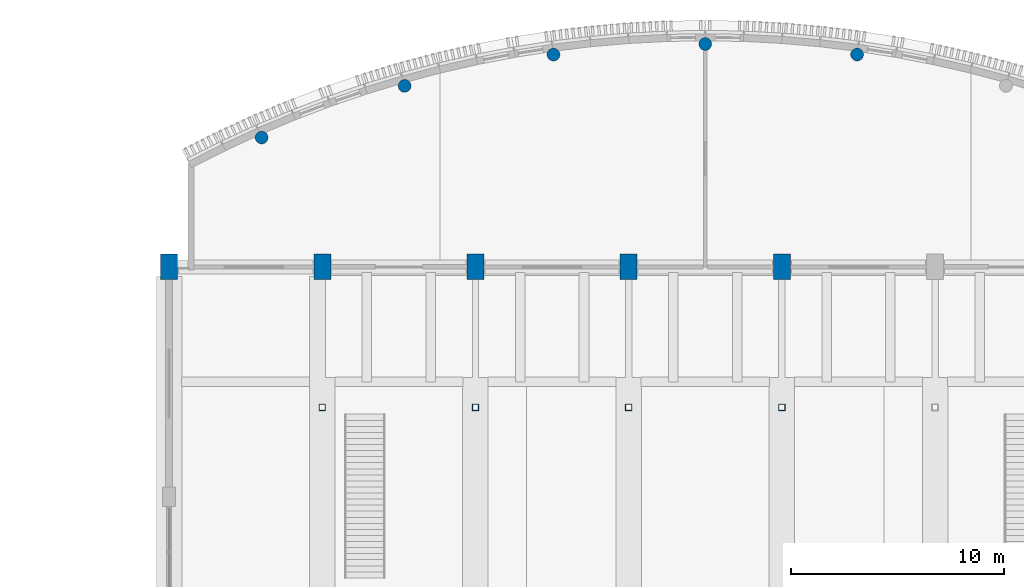
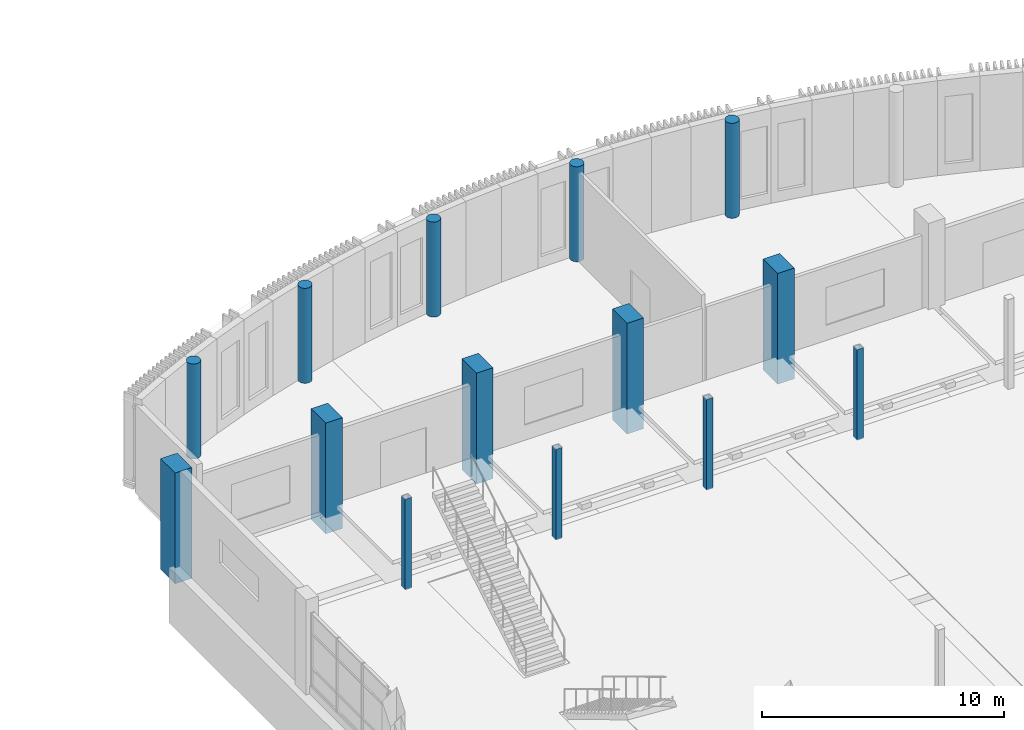
# One storey, part 9 of 82: 14 columns.
"""IFC4 building model written with IfcOpenShell, lengths in metres."""

from ifc_helpers import new_model, si_unit, direction, frame, origin, origin_2d, place, context, subcontext, project, spatial, rectangle, hollow_rectangle, circle, extrude, material, material_profile, profile_set, type_object, element, save


model = new_model("IFC4")

# Units and contexts
model_context = context("Model", 3, precision=1e-05, world=origin(), true_north=direction((0.0, 1.0)))
body_context = subcontext(model_context, "Body", "Model", "MODEL_VIEW")
ifc_project = project(units=[si_unit("LENGTHUNIT", "METRE"), si_unit("AREAUNIT", "SQUARE_METRE"), si_unit("VOLUMEUNIT", "CUBIC_METRE"), si_unit("PLANEANGLEUNIT", "RADIAN"), si_unit("MASSUNIT", "GRAM", prefix="KILO")], contexts=[model_context])

# Site, building, storey
site_placement = place(None, origin())
site = spatial("IfcSite", under=ifc_project, at=site_placement, CompositionType="ELEMENT")
building_placement = place(site_placement, origin())
building = spatial("IfcBuilding", under=site, at=building_placement, Name="Sardonyx Promenade Sports Hall", CompositionType="ELEMENT")
storey_placement = place(building_placement, frame((0.0, 0.0, 11.199951171875)))
storey = spatial("IfcBuildingStorey", under=building, at=storey_placement, Name="L02", CompositionType="ELEMENT", Elevation=11.199951171875)

# Columns
ifc_material_1 = material(Name="Concrete C50/60", Category="concrete")
ifc_material_profile_1 = material_profile(ifc_material_1, rectangle(XDim=0.800048828125, YDim=1.199951171875, at=origin_2d()))
ifc_profile_set_1 = profile_set([ifc_material_profile_1], Name="Concrete C50/60")
column_type_1 = type_object("IfcColumnType", Name="Col_Ext_RC800x1200", PredefinedType="COLUMN", material=ifc_profile_set_1)
for number, where, z_axis, x_axis, name in (
    (1, (28.800048828125, 104.39990234375, -0.800048828125), (0.0, 0.0, 1.0), (1.0, 0.0, 0.0), "Column CE08 L02 (28.8,104.4)"),
    (2, (36.0, 104.39990234375, -0.800048828125), (0.0, 0.0, 1.0), (1.0, 0.0, 0.0), "Column CE08 L02 (36.0,104.4)"),
    (3, (43.199951171875, 104.39990234375, -0.800048828125), (0.0, 0.0, 1.0), (1.0, 0.0, 0.0), "Column CE08 L02 (43.2,104.4)"),
    (4, (50.39990234375, 104.39990234375, -0.800048828125), (0.0, 0.0, 1.0), (1.0, 0.0, 0.0), "Column CE08 L02 (50.4,104.4)"),
    (5, (57.60009765625, 104.39990234375, -0.800048828125), (0.0, 0.0, 1.0), (1.0, 0.0, 0.0), "Column CE08 L02 (57.6,104.4)"),
):
    element("IfcColumn", number, at=place(storey_placement, frame(where, z_axis=z_axis, x_axis=x_axis)), inside=storey, type_object=column_type_1, Name=name, PredefinedType="COLUMN", context=body_context, shape_type="SweptSolid", body=[
        extrude(rectangle(XDim=0.800048828125, YDim=1.199951171875, at=origin_2d()), origin(), (0.0, 0.0, 1.0), 5.60009765625),
    ])
ifc_material_2 = material(Name="Concrete C40/50", Category="concrete")
ifc_material_profile_2 = material_profile(ifc_material_2, circle(Radius=0.300048828125, at=origin_2d()))
ifc_profile_set_2 = profile_set([ifc_material_profile_2], Name="Concrete C40/50")
column_type_2 = type_object("IfcColumnType", Name="Col_Ext_RCD600", PredefinedType="COLUMN", material=ifc_profile_set_2)
for number, where, z_axis, x_axis, name in (
    (6, (33.14404296875, 110.48486328125, 0.0), (0.0, 0.0, 1.0), (1.0, 0.0, 0.0), "Column CE15 L02 (33.1,110.5)"),
    (7, (39.8701171875, 112.910888671875, 0.0), (0.0, 0.0, 1.0), (1.0, 0.0, 0.0), "Column CE15 L02 (39.9,112.9)"),
    (8, (46.86669921875, 114.38525390625, 0.0), (0.0, 0.0, 1.0), (1.0, 0.0, 0.0), "Column CE15 L02 (46.9,114.4)"),
    (9, (54.0, 114.8798828125, 0.0), (0.0, 0.0, 1.0), (1.0, 0.0, 0.0), "Column CE15 L02 (54.0,114.9)"),
    (10, (61.13330078125, 114.38525390625, 0.0), (0.0, 0.0, 1.0), (1.0, 0.0, 0.0), "Column CE15 L02 (61.1,114.4)"),
):
    element("IfcColumn", number, at=place(storey_placement, frame(where, z_axis=z_axis, x_axis=x_axis)), inside=storey, type_object=column_type_2, Name=name, PredefinedType="COLUMN", context=body_context, shape_type="SweptSolid", body=[
        extrude(circle(Radius=0.300048828125, at=origin_2d()), origin(), (0.0, 0.0, 1.0), 4.800048828125),
    ])
ifc_material_3 = material(Name="Steel S355JR", Category="steel")
ifc_material_profile_3 = material_profile(ifc_material_3, hollow_rectangle(XDim=0.300048828125, YDim=0.300048828125, WallThickness=0.012451171875, at=origin_2d()))
ifc_profile_set_3 = profile_set([ifc_material_profile_3], Name="Steel S355JR")
column_type_3 = type_object("IfcColumnType", Name="Col_Int_SHS300", PredefinedType="COLUMN", material=ifc_profile_set_3)
for number, where, z_axis, x_axis, name in (
    (11, (36.0, 97.800048828125, 0.0), (0.0, 0.0, 1.0), (1.0, 0.0, 0.0), "Upper-bowl transfer post 6N"),
    (12, (43.199951171875, 97.800048828125, 0.0), (0.0, 0.0, 1.0), (1.0, 0.0, 0.0), "Upper-bowl transfer post 7N"),
    (13, (50.39990234375, 97.800048828125, 0.0), (0.0, 0.0, 1.0), (1.0, 0.0, 0.0), "Upper-bowl transfer post 8N"),
    (14, (57.60009765625, 97.800048828125, 0.0), (0.0, 0.0, 1.0), (1.0, 0.0, 0.0), "Upper-bowl transfer post 9N"),
):
    element("IfcColumn", number, at=place(storey_placement, frame(where, z_axis=z_axis, x_axis=x_axis)), inside=storey, type_object=column_type_3, Name=name, PredefinedType="COLUMN", context=body_context, shape_type="SweptSolid", body=[
        extrude(hollow_rectangle(XDim=0.300048828125, YDim=0.300048828125, WallThickness=0.012451171875, at=origin_2d()), origin(), (0.0, 0.0, 1.0), 4.580078125),
    ])

save(model, "model.ifc")
